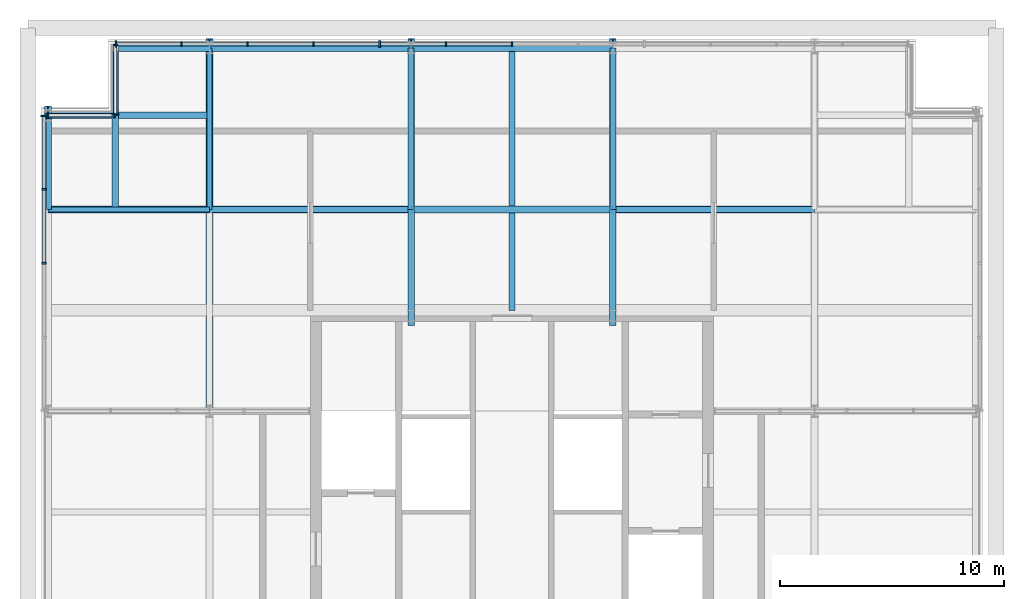
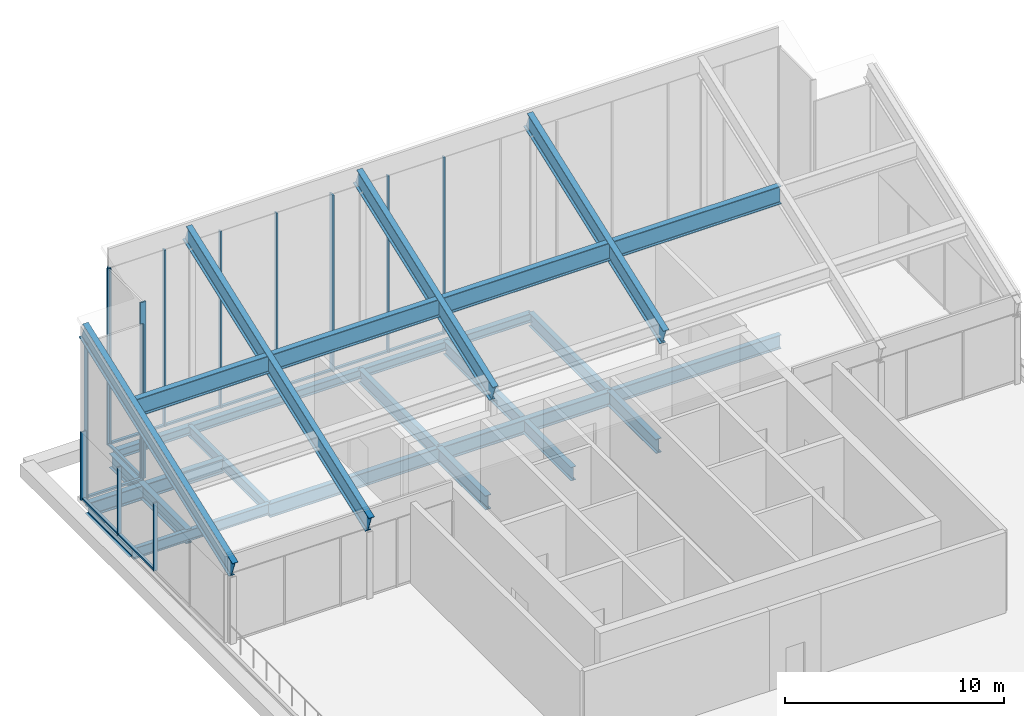
# One storey, part 5 of 10: 32 members, 16 beams, 4 elements without a shape of their own.
"""IFC4 building model written with IfcOpenShell, lengths in metres."""

from ifc_helpers import new_model, si_unit, direction, frame, origin, origin_2d, place, context, subcontext, project, spatial, rectangle, i_section, extrude, material, layer, layer_set, material_profile, profile_set, type_object, element, aggregate, save


model = new_model("IFC4")

# Units and contexts
model_context = context("Model", 3, precision=1e-05, world=origin(), true_north=direction((0.0, 1.0)))
body_context = subcontext(model_context, "Body", "Model", "MODEL_VIEW")
ifc_project = project(units=[si_unit("LENGTHUNIT", "METRE"), si_unit("AREAUNIT", "SQUARE_METRE"), si_unit("VOLUMEUNIT", "CUBIC_METRE"), si_unit("PLANEANGLEUNIT", "RADIAN"), si_unit("MASSUNIT", "GRAM", prefix="KILO")], contexts=[model_context])

# Site, building, storey
site_placement = place(None, origin())
site = spatial("IfcSite", under=ifc_project, at=site_placement, CompositionType="ELEMENT")
building_placement = place(site_placement, origin())
building = spatial("IfcBuilding", under=site, at=building_placement, Name="Malebo Sky Hospital", CompositionType="ELEMENT")
storey_placement = place(building_placement, frame((0.0, 0.0, 290.0)))
storey = spatial("IfcBuildingStorey", under=building, at=storey_placement, Name="RF", CompositionType="ELEMENT", Elevation=290.0)

# Curtain wall, members
ifc_material_1 = material(Name="Anodised aluminium, natural silver", Category="aluminium")
ifc_layer = layer(ifc_material_1, 0.25)
ifc_layer_set = layer_set([ifc_layer], Name="PENTHOUSE LOUVRE SCREEN")
curtain_wall_type = type_object("IfcCurtainWallType", Name="PENTHOUSE LOUVRE SCREEN", PredefinedType="NOTDEFINED", material=ifc_layer_set)
curtain_wall_1_placement = place(storey_placement, origin())
curtain_wall_1 = element("IfcCurtainWall", 1, at=curtain_wall_1_placement, inside=storey, type_object=curtain_wall_type, Name="ROOF curtain wall N", PredefinedType="NOTDEFINED")
ifc_material_profile_1 = material_profile(ifc_material_1, rectangle(XDim=0.14990234375, YDim=0.10009765625, at=origin_2d()), Name="ALUMINIUM TRANSOM 150x100")
ifc_profile_set_1 = profile_set([ifc_material_profile_1], Name="Anodised aluminium, natural silver")
member_type_1 = type_object("IfcMemberType", Name="ALUMINIUM TRANSOM 150x100", PredefinedType="USERDEFINED", material=ifc_profile_set_1)
member_1_placement = place(storey_placement, frame((59.96240234375, 82.875, 0.050048828125), z_axis=(-1.0, 0.0, 0.0), x_axis=(0.0, -1.0, 0.0)))
member_1 = element("IfcMember", 2, at=member_1_placement, type_object=member_type_1, Name="Transom 7", ObjectType="TRANSOM", PredefinedType="USERDEFINED", context=body_context, shape_type="SweptSolid", body=[
    extrude(rectangle(XDim=0.14990234375, YDim=0.10009765625, at=origin_2d()), origin(), (0.0, 0.0, 1.0), 2.875),
])
member_2_placement = place(storey_placement, frame((57.012451171875, 82.875, 0.050048828125), z_axis=(-1.0, 0.0, 0.0), x_axis=(0.0, -1.0, 0.0)))
member_2 = element("IfcMember", 3, at=member_2_placement, type_object=member_type_1, Name="Transom 8", ObjectType="TRANSOM", PredefinedType="USERDEFINED", context=body_context, shape_type="SweptSolid", body=[
    extrude(rectangle(XDim=0.14990234375, YDim=0.10009765625, at=origin_2d()), origin(), (0.0, 0.0, 1.0), 2.875),
])
member_3_placement = place(storey_placement, frame((54.0625, 82.875, 0.050048828125), z_axis=(-1.0, 0.0, 0.0), x_axis=(0.0, -1.0, 0.0)))
member_3 = element("IfcMember", 4, at=member_3_placement, type_object=member_type_1, Name="Transom 9", ObjectType="TRANSOM", PredefinedType="USERDEFINED", context=body_context, shape_type="SweptSolid", body=[
    extrude(rectangle(XDim=0.14990234375, YDim=0.10009765625, at=origin_2d()), origin(), (0.0, 0.0, 1.0), 2.875),
])
member_4_placement = place(storey_placement, frame((51.112548828125, 82.875, 0.050048828125), z_axis=(-1.0, 0.0, 0.0), x_axis=(0.0, -1.0, 0.0)))
member_4 = element("IfcMember", 5, at=member_4_placement, type_object=member_type_1, Name="Transom 10", ObjectType="TRANSOM", PredefinedType="USERDEFINED", context=body_context, shape_type="SweptSolid", body=[
    extrude(rectangle(XDim=0.14990234375, YDim=0.10009765625, at=origin_2d()), origin(), (0.0, 0.0, 1.0), 2.875),
])
member_5_placement = place(storey_placement, frame((48.16259765625, 82.875, 0.050048828125), z_axis=(-1.0, 0.0, 0.0), x_axis=(0.0, -1.0, 0.0)))
member_5 = element("IfcMember", 6, at=member_5_placement, type_object=member_type_1, Name="Transom 11", ObjectType="TRANSOM", PredefinedType="USERDEFINED", context=body_context, shape_type="SweptSolid", body=[
    extrude(rectangle(XDim=0.14990234375, YDim=0.10009765625, at=origin_2d()), origin(), (0.0, 0.0, 1.0), 2.875),
])
member_6_placement = place(storey_placement, frame((45.21240234375, 82.875, 0.050048828125), z_axis=(-1.0, 0.0, 0.0), x_axis=(0.0, -1.0, 0.0)))
member_6 = element("IfcMember", 7, at=member_6_placement, type_object=member_type_1, Name="Transom 12", ObjectType="TRANSOM", PredefinedType="USERDEFINED", context=body_context, shape_type="SweptSolid", body=[
    extrude(rectangle(XDim=0.14990234375, YDim=0.10009765625, at=origin_2d()), origin(), (0.0, 0.0, 1.0), 2.83740234375),
])

curtain_wall_2_placement = place(storey_placement, origin())
curtain_wall_2 = element("IfcCurtainWall", 8, at=curtain_wall_2_placement, inside=storey, type_object=curtain_wall_type, Name="ROOF curtain wall W", PredefinedType="NOTDEFINED")
member_7_placement = place(storey_placement, frame((39.125, 79.625, 0.050048828125), z_axis=(0.0, -1.0, 0.0), x_axis=(1.0, 0.0, 0.0)))
member_7 = element("IfcMember", 9, at=member_7_placement, type_object=member_type_1, Name="Transom 1", ObjectType="TRANSOM", PredefinedType="USERDEFINED", context=body_context, shape_type="SweptSolid", body=[
    extrude(rectangle(XDim=0.14990234375, YDim=0.10009765625, at=origin_2d()), origin(), (0.0, 0.0, 1.0), 3.1875),
])
member_8_placement = place(storey_placement, frame((39.125, 76.362548828125, 0.050048828125), z_axis=(0.0, -1.0, 0.0), x_axis=(1.0, 0.0, 0.0)))
member_8 = element("IfcMember", 10, at=member_8_placement, type_object=member_type_1, Name="Transom 2", ObjectType="TRANSOM", PredefinedType="USERDEFINED", context=body_context, shape_type="SweptSolid", body=[
    extrude(rectangle(XDim=0.14990234375, YDim=0.10009765625, at=origin_2d()), origin(), (0.0, 0.0, 1.0), 3.22509765625),
])

# Curtain wall, member
curtain_wall_3_placement = place(storey_placement, origin())
curtain_wall_3 = element("IfcCurtainWall", 11, at=curtain_wall_3_placement, inside=storey, type_object=curtain_wall_type, Name="ROOF curtain wall NW1", PredefinedType="NOTDEFINED")
member_9_placement = place(storey_placement, frame((39.3369140625, 79.699951171875, 0.050048828125), z_axis=(1.0, 0.0, 0.0), x_axis=(0.0, 1.0, 0.0)))
member_9 = element("IfcMember", 12, at=member_9_placement, type_object=member_type_1, Name="Transom 1", ObjectType="TRANSOM", PredefinedType="USERDEFINED", context=body_context, shape_type="SweptSolid", body=[
    extrude(rectangle(XDim=0.14990234375, YDim=0.10009765625, at=origin_2d()), origin(), (0.0, 0.0, 1.0), 2.88818359375),
])

curtain_wall_4_placement = place(storey_placement, origin())
curtain_wall_4 = element("IfcCurtainWall", 13, at=curtain_wall_4_placement, inside=storey, type_object=curtain_wall_type, Name="ROOF curtain wall NW2", PredefinedType="NOTDEFINED")
member_10_placement = place(storey_placement, frame((42.300048828125, 79.77490234375, 0.050048828125), z_axis=(0.0, 1.0, 0.0), x_axis=(-1.0, 0.0, 0.0)))
member_10 = element("IfcMember", 14, at=member_10_placement, type_object=member_type_1, Name="Transom 1", ObjectType="TRANSOM", PredefinedType="USERDEFINED", context=body_context, shape_type="SweptSolid", body=[
    extrude(rectangle(XDim=0.14990234375, YDim=0.10009765625, at=origin_2d()), origin(), (0.0, 0.0, 1.0), 3.025146484375),
])

# Members
ifc_material_2 = material(Name="Steel S355", Category="steel")
ifc_material_profile_2 = material_profile(ifc_material_2, i_section(OverallWidth=0.300048828125, OverallDepth=1.0, WebThickness=0.01904296875, FlangeThickness=0.035888671875, FilletRadius=0.030029296875, at=origin_2d()), Name="HEB 1000")
ifc_profile_set_2 = profile_set([ifc_material_profile_2], Name="Steel S355")
member_type_2 = type_object("IfcMemberType", Name="CROWN PURLIN HEB 1000", PredefinedType="PURLIN", material=ifc_profile_set_2)
member_11_placement = place(storey_placement, frame((39.300048828125, 75.5, 7.564453125), z_axis=(1.0, 0.0, 0.0), x_axis=(0.0, 1.0, 0.0)))
element("IfcMember", 15, at=member_11_placement, inside=storey, type_object=member_type_2, Name="Crown purlin +13.5", PredefinedType="PURLIN", context=body_context, shape_type="SweptSolid", body=[
    extrude(i_section(OverallWidth=0.300048828125, OverallDepth=1.0, WebThickness=0.01904296875, FlangeThickness=0.035888671875, FilletRadius=0.030029296875, at=origin_2d()), origin(), (0.0, 0.0, 1.0), 7.199951171875),
])
for number, where, z_axis, x_axis, name in (
    (16, (46.5, 75.5, 7.564453125), (1.0, 0.0, 0.0), (0.0, 1.0, 0.0), "Crown purlin +13.5"),
    (17, (55.5, 75.5, 7.564453125), (1.0, 0.0, 0.0), (0.0, 1.0, 0.0), "Crown purlin +13.5"),
    (18, (64.5, 75.5, 7.564453125), (1.0, 0.0, 0.0), (0.0, 1.0, 0.0), "Crown purlin +13.5"),
):
    element("IfcMember", number, at=place(storey_placement, frame(where, z_axis=z_axis, x_axis=x_axis)), inside=storey, type_object=member_type_2, Name=name, PredefinedType="PURLIN", context=body_context, shape_type="SweptSolid", body=[
        extrude(i_section(OverallWidth=0.300048828125, OverallDepth=1.0, WebThickness=0.01904296875, FlangeThickness=0.035888671875, FilletRadius=0.030029296875, at=origin_2d()), origin(), (0.0, 0.0, 1.0), 9.0),
    ])
ifc_material_profile_3 = material_profile(ifc_material_2, i_section(OverallWidth=0.300048828125, OverallDepth=1.0, WebThickness=0.01904296875, FlangeThickness=0.035888671875, FilletRadius=0.030029296875, at=origin_2d()), Name="HEB 1000")
ifc_profile_set_3 = profile_set([ifc_material_profile_3], Name="Steel S355")
member_type_3 = type_object("IfcMemberType", Name="CROWN RAFTER HEB 1000", PredefinedType="RAFTER", material=ifc_profile_set_3)
member_12_placement = place(storey_placement, frame((39.300048828125, 66.25, 4.160888671875), z_axis=(0.0, 0.9377451322, 0.34732415268), x_axis=(-1.0, 0.0, 0.0)))
element("IfcMember", 19, at=member_12_placement, inside=storey, type_object=member_type_3, Name="Crown rafter -20.7", PredefinedType="RAFTER", context=body_context, shape_type="SweptSolid", body=[
    extrude(i_section(OverallWidth=0.300048828125, OverallDepth=1.0, WebThickness=0.01904296875, FlangeThickness=0.035888671875, FilletRadius=0.030029296875, at=origin_2d()), origin(), (0.0, 0.0, 1.0), 14.609375),
])
member_13_placement = place(storey_placement, frame((46.5, 66.25, 4.160888671875), z_axis=(0.0, 0.937746280156, 0.347321053283), x_axis=(-1.0, 0.0, 0.0)))
element("IfcMember", 20, at=member_13_placement, inside=storey, type_object=member_type_3, Name="Crown rafter -13.5", PredefinedType="RAFTER", context=body_context, shape_type="SweptSolid", body=[
    extrude(i_section(OverallWidth=0.300048828125, OverallDepth=1.0, WebThickness=0.01904296875, FlangeThickness=0.035888671875, FilletRadius=0.030029296875, at=origin_2d()), origin(), (0.0, 0.0, 1.0), 17.80859375),
])
for number, where, z_axis, x_axis, name in (
    (21, (55.5, 70.5, 5.735107421875), (0.0, 0.937748982545, 0.347313756904), (-1.0, 0.0, 0.0), "Crown rafter -4.5"),
    (22, (64.5, 70.5, 5.735107421875), (0.0, 0.937748982545, 0.347313756904), (-1.0, 0.0, 0.0), "Crown rafter +4.5"),
):
    element("IfcMember", number, at=place(storey_placement, frame(where, z_axis=z_axis, x_axis=x_axis)), inside=storey, type_object=member_type_3, Name=name, PredefinedType="RAFTER", context=body_context, shape_type="SweptSolid", body=[
        extrude(i_section(OverallWidth=0.300048828125, OverallDepth=1.0, WebThickness=0.01904296875, FlangeThickness=0.035888671875, FilletRadius=0.030029296875, at=origin_2d()), origin(), (0.0, 0.0, 1.0), 13.2763671875),
    ])

# Member
ifc_material_profile_4 = material_profile(ifc_material_1, rectangle(XDim=0.074951171875, YDim=0.199951171875, at=origin_2d()), Name="CW6 ALUMINIUM FIN MULLION 75x200")
ifc_profile_set_4 = profile_set([ifc_material_profile_4], Name="Anodised aluminium, natural silver")
member_type_4 = type_object("IfcMemberType", Name="CW6 ALUMINIUM FIN MULLION 75x200", PredefinedType="MULLION", material=ifc_profile_set_4)
member_14_placement = place(storey_placement, frame((60.0, 82.875, 0.0), z_axis=(0.0, 0.0, 1.0), x_axis=(-1.0, 0.0, 0.0)))
member_14 = element("IfcMember", 23, at=member_14_placement, type_object=member_type_4, Name="Fin mullion 7", PredefinedType="MULLION", context=body_context, shape_type="SweptSolid", body=[
    extrude(rectangle(XDim=0.074951171875, YDim=0.199951171875, at=origin_2d()), origin(), (0.0, 0.0, 1.0), 9.86474609375),
])

member_15_placement = place(storey_placement, frame((57.050048828125, 82.875, 0.0), z_axis=(0.0, 0.0, 1.0), x_axis=(-1.0, 0.0, 0.0)))
member_15 = element("IfcMember", 24, at=member_15_placement, type_object=member_type_4, Name="Fin mullion 8", PredefinedType="MULLION", context=body_context, shape_type="SweptSolid", body=[
    extrude(rectangle(XDim=0.074951171875, YDim=0.199951171875, at=origin_2d()), origin(), (0.0, 0.0, 1.0), 9.86474609375),
])

member_16_placement = place(storey_placement, frame((51.14990234375, 82.875, 0.0), z_axis=(0.0, 0.0, 1.0), x_axis=(-1.0, 0.0, 0.0)))
member_16 = element("IfcMember", 25, at=member_16_placement, type_object=member_type_4, Name="Fin mullion 10", PredefinedType="MULLION", context=body_context, shape_type="SweptSolid", body=[
    extrude(rectangle(XDim=0.074951171875, YDim=0.199951171875, at=origin_2d()), origin(), (0.0, 0.0, 1.0), 9.86474609375),
])

member_17_placement = place(storey_placement, frame((48.199951171875, 82.875, 0.0), z_axis=(0.0, 0.0, 1.0), x_axis=(-1.0, 0.0, 0.0)))
member_17 = element("IfcMember", 26, at=member_17_placement, type_object=member_type_4, Name="Fin mullion 11", PredefinedType="MULLION", context=body_context, shape_type="SweptSolid", body=[
    extrude(rectangle(XDim=0.074951171875, YDim=0.199951171875, at=origin_2d()), origin(), (0.0, 0.0, 1.0), 9.86474609375),
])

member_18_placement = place(storey_placement, frame((45.25, 82.875, 0.0), z_axis=(0.0, 0.0, 1.0), x_axis=(-1.0, 0.0, 0.0)))
member_18 = element("IfcMember", 27, at=member_18_placement, type_object=member_type_4, Name="Fin mullion 12", PredefinedType="MULLION", context=body_context, shape_type="SweptSolid", body=[
    extrude(rectangle(XDim=0.074951171875, YDim=0.199951171875, at=origin_2d()), origin(), (0.0, 0.0, 1.0), 9.86474609375),
])

member_19_placement = place(storey_placement, frame((39.125, 76.39990234375, 0.0), z_axis=(0.0, 0.0, 1.0), x_axis=(0.0, -1.0, 0.0)))
member_19 = element("IfcMember", 28, at=member_19_placement, type_object=member_type_4, Name="Fin mullion 2", PredefinedType="MULLION", context=body_context, shape_type="SweptSolid", body=[
    extrude(rectangle(XDim=0.074951171875, YDim=0.199951171875, at=origin_2d()), origin(), (0.0, 0.0, 1.0), 3.800048828125),
])

member_20_placement = place(storey_placement, frame((39.125, 73.10009765625, 0.0), z_axis=(0.0, 0.0, 1.0), x_axis=(0.0, -1.0, 0.0)))
member_20 = element("IfcMember", 29, at=member_20_placement, type_object=member_type_4, Name="Fin mullion 3", PredefinedType="MULLION", context=body_context, shape_type="SweptSolid", body=[
    extrude(rectangle(XDim=0.074951171875, YDim=0.199951171875, at=origin_2d()), origin(), (0.0, 0.0, 1.0), 3.800048828125),
])

member_21_placement = place(storey_placement, frame((42.262451171875, 79.699951171875, 0.0), z_axis=(0.0, 0.0, 1.0), x_axis=(1.0, 0.0, 0.0)))
member_21 = element("IfcMember", 30, at=member_21_placement, type_object=member_type_4, Name="Fin mullion 2", PredefinedType="MULLION", context=body_context, shape_type="SweptSolid", body=[
    extrude(rectangle(XDim=0.074951171875, YDim=0.199951171875, at=origin_2d()), origin(), (0.0, 0.0, 1.0), 8.68896484375),
])

member_22_placement = place(storey_placement, frame((42.300048828125, 82.83740234375, 0.0), z_axis=(0.0, 0.0, 1.0), x_axis=(0.0, 1.0, 0.0)))
member_22 = element("IfcMember", 31, at=member_22_placement, type_object=member_type_4, Name="Fin mullion 2", PredefinedType="MULLION", context=body_context, shape_type="SweptSolid", body=[
    extrude(rectangle(XDim=0.074951171875, YDim=0.199951171875, at=origin_2d()), origin(), (0.0, 0.0, 1.0), 9.86474609375),
])

ifc_material_profile_5 = material_profile(ifc_material_1, rectangle(XDim=0.074951171875, YDim=0.300048828125, at=origin_2d()), Name="CW6 ALUMINIUM FIN MULLION 75x300")
ifc_profile_set_5 = profile_set([ifc_material_profile_5], Name="Anodised aluminium, natural silver")
member_type_5 = type_object("IfcMemberType", Name="CW6 ALUMINIUM FIN MULLION 75x300", PredefinedType="MULLION", material=ifc_profile_set_5)
member_23_placement = place(storey_placement, frame((54.10009765625, 82.875, 0.0), z_axis=(0.0, 0.0, 1.0), x_axis=(-1.0, 0.0, 0.0)))
member_23 = element("IfcMember", 32, at=member_23_placement, type_object=member_type_5, Name="Fin mullion 9", PredefinedType="MULLION", context=body_context, shape_type="SweptSolid", body=[
    extrude(rectangle(XDim=0.074951171875, YDim=0.300048828125, at=origin_2d()), origin(), (0.0, 0.0, 1.0), 9.86474609375),
])

member_24_placement = place(storey_placement, frame((42.33740234375, 82.875, 0.0), z_axis=(0.0, 0.0, 1.0), x_axis=(-1.0, 0.0, 0.0)))
member_24 = element("IfcMember", 33, at=member_24_placement, type_object=member_type_5, Name="Fin mullion 13", PredefinedType="MULLION", context=body_context, shape_type="SweptSolid", body=[
    extrude(rectangle(XDim=0.074951171875, YDim=0.300048828125, at=origin_2d()), origin(), (0.0, 0.0, 1.0), 9.86474609375),
])

aggregate(curtain_wall_1, [member_14, member_15, member_23, member_16, member_17, member_18, member_24, member_1, member_2, member_3, member_4, member_5, member_6])

member_25_placement = place(storey_placement, frame((39.125, 79.66259765625, 0.0), z_axis=(0.0, 0.0, 1.0), x_axis=(0.0, -1.0, 0.0)))
member_25 = element("IfcMember", 34, at=member_25_placement, type_object=member_type_5, Name="Fin mullion 1", PredefinedType="MULLION", context=body_context, shape_type="SweptSolid", body=[
    extrude(rectangle(XDim=0.074951171875, YDim=0.300048828125, at=origin_2d()), origin(), (0.0, 0.0, 1.0), 3.800048828125),
])

aggregate(curtain_wall_2, [member_25, member_19, member_20, member_7, member_8])

member_26_placement = place(storey_placement, frame((39.299560546875, 79.699951171875, 0.0), z_axis=(0.0, 0.0, 1.0), x_axis=(1.0, 0.0, 0.0)))
member_26 = element("IfcMember", 35, at=member_26_placement, type_object=member_type_5, Name="Fin mullion 1", PredefinedType="MULLION", context=body_context, shape_type="SweptSolid", body=[
    extrude(rectangle(XDim=0.074951171875, YDim=0.300048828125, at=origin_2d()), origin(), (0.0, 0.0, 1.0), 8.68896484375),
])

aggregate(curtain_wall_3, [member_26, member_21, member_9])

member_27_placement = place(storey_placement, frame((42.300048828125, 79.737548828125, 0.0), z_axis=(0.0, 0.0, 1.0), x_axis=(0.0, 1.0, 0.0)))
member_27 = element("IfcMember", 36, at=member_27_placement, type_object=member_type_5, Name="Fin mullion 1", PredefinedType="MULLION", context=body_context, shape_type="SweptSolid", body=[
    extrude(rectangle(XDim=0.074951171875, YDim=0.300048828125, at=origin_2d()), origin(), (0.0, 0.0, 1.0), 9.86474609375),
])

aggregate(curtain_wall_4, [member_27, member_22, member_10])

# Beams
ifc_material_profile_6 = material_profile(ifc_material_2, i_section(OverallWidth=0.300048828125, OverallDepth=0.489990234375, WebThickness=0.011962890625, FlangeThickness=0.02294921875, FilletRadius=0.027099609375, at=origin_2d()), Name="HEA 500")
ifc_profile_set_6 = profile_set([ifc_material_profile_6], Name="Steel S355")
beam_type_1 = type_object("IfcBeamType", Name="EDGE BEAM HEA 500", PredefinedType="BEAM", material=ifc_profile_set_6)
for number, where, z_axis, x_axis, name in (
    (37, (39.300048828125, 75.5, -0.4951171875), (0.0, 1.0, 0.0), (-1.0, 0.0, 0.0), "Beam 004 RF"),
    (38, (42.449951171875, 82.699951171875, -0.4951171875), (1.0, 0.0, 0.0), (0.0, 1.0, 0.0), "Beam 063 RF"),
):
    element("IfcBeam", number, at=place(storey_placement, frame(where, z_axis=z_axis, x_axis=x_axis)), inside=storey, type_object=beam_type_1, Name=name, PredefinedType="BEAM", context=body_context, shape_type="SweptSolid", body=[
        extrude(i_section(OverallWidth=0.300048828125, OverallDepth=0.489990234375, WebThickness=0.011962890625, FlangeThickness=0.02294921875, FilletRadius=0.027099609375, at=origin_2d()), origin(), (0.0, 0.0, 1.0), 4.050048828125),
    ])
for number, where, z_axis, x_axis, name in (
    (39, (46.5, 82.699951171875, -0.4951171875), (1.0, 0.0, 0.0), (0.0, 1.0, 0.0), "Beam 064 RF"),
    (40, (55.5, 82.699951171875, -0.4951171875), (1.0, 0.0, 0.0), (0.0, 1.0, 0.0), "Beam 065 RF"),
):
    element("IfcBeam", number, at=place(storey_placement, frame(where, z_axis=z_axis, x_axis=x_axis)), inside=storey, type_object=beam_type_1, Name=name, PredefinedType="BEAM", context=body_context, shape_type="SweptSolid", body=[
        extrude(i_section(OverallWidth=0.300048828125, OverallDepth=0.489990234375, WebThickness=0.011962890625, FlangeThickness=0.02294921875, FilletRadius=0.027099609375, at=origin_2d()), origin(), (0.0, 0.0, 1.0), 9.0),
    ])
ifc_material_profile_7 = material_profile(ifc_material_2, i_section(OverallWidth=0.300048828125, OverallDepth=0.800048828125, WebThickness=0.017578125, FlangeThickness=0.032958984375, FilletRadius=0.030029296875, at=origin_2d()), Name="HEB 800")
ifc_profile_set_7 = profile_set([ifc_material_profile_7], Name="Steel S355")
beam_type_2 = type_object("IfcBeamType", Name="FLOOR BEAM HEB 800", PredefinedType="BEAM", material=ifc_profile_set_7)
beam_1_placement = place(storey_placement, frame((42.300048828125, 75.5, -0.64990234375), z_axis=(0.0, 1.0, 0.0), x_axis=(-1.0, 0.0, 0.0)))
element("IfcBeam", 41, at=beam_1_placement, inside=storey, type_object=beam_type_2, Name="Beam 006 RF", PredefinedType="BEAM", context=body_context, shape_type="SweptSolid", body=[
    extrude(i_section(OverallWidth=0.300048828125, OverallDepth=0.800048828125, WebThickness=0.017578125, FlangeThickness=0.032958984375, FilletRadius=0.030029296875, at=origin_2d()), origin(), (0.0, 0.0, 1.0), 7.050048828125),
])
for number, where, z_axis, x_axis, name in (
    (42, (55.5, 71.0, -0.64990234375), (0.0, 1.0, 0.0), (-1.0, 0.0, 0.0), "Beam 014 RF"),
    (43, (64.5, 71.0, -0.64990234375), (0.0, 1.0, 0.0), (-1.0, 0.0, 0.0), "Beam 020 RF"),
):
    element("IfcBeam", number, at=place(storey_placement, frame(where, z_axis=z_axis, x_axis=x_axis)), inside=storey, type_object=beam_type_2, Name=name, PredefinedType="BEAM", context=body_context, shape_type="SweptSolid", body=[
        extrude(i_section(OverallWidth=0.300048828125, OverallDepth=0.800048828125, WebThickness=0.017578125, FlangeThickness=0.032958984375, FilletRadius=0.030029296875, at=origin_2d()), origin(), (0.0, 0.0, 1.0), 4.5),
    ])
beam_2_placement = place(storey_placement, frame((39.449951171875, 79.699951171875, -0.64990234375), z_axis=(1.0, 0.0, 0.0), x_axis=(0.0, 1.0, 0.0)))
element("IfcBeam", 44, at=beam_2_placement, inside=storey, type_object=beam_type_2, Name="Beam 061 RF", PredefinedType="BEAM", context=body_context, shape_type="SweptSolid", body=[
    extrude(i_section(OverallWidth=0.300048828125, OverallDepth=0.800048828125, WebThickness=0.017578125, FlangeThickness=0.032958984375, FilletRadius=0.030029296875, at=origin_2d()), origin(), (0.0, 0.0, 1.0), 7.050048828125),
])
ifc_material_profile_8 = material_profile(ifc_material_2, i_section(OverallWidth=0.262939453125, OverallDepth=0.7529296875, WebThickness=0.011474609375, FlangeThickness=0.01708984375, FilletRadius=0.01708984375, at=origin_2d()), Name="IPE 750x137")
ifc_profile_set_8 = profile_set([ifc_material_profile_8], Name="Steel S355")
beam_type_3 = type_object("IfcBeamType", Name="FLOOR BEAM IPE 750x137", PredefinedType="BEAM", material=ifc_profile_set_8)
beam_3_placement = place(storey_placement, frame((55.5, 75.5, -0.62646484375), z_axis=(0.0, 1.0, 0.0), x_axis=(-1.0, 0.0, 0.0)))
element("IfcBeam", 45, at=beam_3_placement, inside=storey, type_object=beam_type_3, Name="Beam 015 RF", PredefinedType="BEAM", context=body_context, shape_type="SweptSolid", body=[
    extrude(i_section(OverallWidth=0.262939453125, OverallDepth=0.7529296875, WebThickness=0.011474609375, FlangeThickness=0.01708984375, FilletRadius=0.01708984375, at=origin_2d()), origin(), (0.0, 0.0, 1.0), 7.199951171875),
])
beam_4_placement = place(storey_placement, frame((60.0, 71.0, -0.62646484375), z_axis=(0.0, 1.0, 0.0), x_axis=(-1.0, 0.0, 0.0)))
element("IfcBeam", 46, at=beam_4_placement, inside=storey, type_object=beam_type_3, Name="Beam 017 RF", PredefinedType="BEAM", context=body_context, shape_type="SweptSolid", body=[
    extrude(i_section(OverallWidth=0.262939453125, OverallDepth=0.7529296875, WebThickness=0.011474609375, FlangeThickness=0.01708984375, FilletRadius=0.01708984375, at=origin_2d()), origin(), (0.0, 0.0, 1.0), 11.699951171875),
])
beam_5_placement = place(storey_placement, frame((64.5, 75.5, -0.62646484375), z_axis=(0.0, 1.0, 0.0), x_axis=(-1.0, 0.0, 0.0)))
element("IfcBeam", 47, at=beam_5_placement, inside=storey, type_object=beam_type_3, Name="Beam 021 RF", PredefinedType="BEAM", context=body_context, shape_type="SweptSolid", body=[
    extrude(i_section(OverallWidth=0.262939453125, OverallDepth=0.7529296875, WebThickness=0.011474609375, FlangeThickness=0.01708984375, FilletRadius=0.01708984375, at=origin_2d()), origin(), (0.0, 0.0, 1.0), 7.199951171875),
])
ifc_material_profile_9 = material_profile(ifc_material_2, i_section(OverallWidth=0.26806640625, OverallDepth=0.77001953125, WebThickness=0.015625, FlangeThickness=0.025390625, FilletRadius=0.01708984375, at=origin_2d()), Name="IPE 750x196")
ifc_profile_set_9 = profile_set([ifc_material_profile_9], Name="Steel S355")
beam_type_4 = type_object("IfcBeamType", Name="FLOOR BEAM IPE 750x196", PredefinedType="BEAM", material=ifc_profile_set_9)
for number, where, z_axis, x_axis, name in (
    (48, (46.5, 75.5, -0.635009765625), (1.0, 0.0, 0.0), (0.0, 1.0, 0.0), "Beam 057 RF"),
    (49, (64.5, 75.5, -0.635009765625), (1.0, 0.0, 0.0), (0.0, 1.0, 0.0), "Beam 059 RF"),
):
    element("IfcBeam", number, at=place(storey_placement, frame(where, z_axis=z_axis, x_axis=x_axis)), inside=storey, type_object=beam_type_4, Name=name, PredefinedType="BEAM", context=body_context, shape_type="SweptSolid", body=[
        extrude(i_section(OverallWidth=0.26806640625, OverallDepth=0.77001953125, WebThickness=0.015625, FlangeThickness=0.025390625, FilletRadius=0.01708984375, at=origin_2d()), origin(), (0.0, 0.0, 1.0), 9.0),
    ])
ifc_material_profile_10 = material_profile(ifc_material_2, i_section(OverallWidth=0.219970703125, OverallDepth=0.60009765625, WebThickness=0.011962890625, FlangeThickness=0.01904296875, FilletRadius=0.02392578125, at=origin_2d()), Name="IPE 600")
ifc_profile_set_10 = profile_set([ifc_material_profile_10], Name="Steel S355")
beam_type_5 = type_object("IfcBeamType", Name="FLOOR GIRDER IPE 600", PredefinedType="BEAM", material=ifc_profile_set_10)
for number, where, z_axis, x_axis, name in (
    (50, (46.5, 75.5, -0.550048828125), (0.0, 1.0, 0.0), (-1.0, 0.0, 0.0), "Beam 011 RF"),
    (51, (39.300048828125, 75.5, -0.550048828125), (1.0, 0.0, 0.0), (0.0, 1.0, 0.0), "Beam 056 RF"),
):
    element("IfcBeam", number, at=place(storey_placement, frame(where, z_axis=z_axis, x_axis=x_axis)), inside=storey, type_object=beam_type_5, Name=name, PredefinedType="BEAM", context=body_context, shape_type="SweptSolid", body=[
        extrude(i_section(OverallWidth=0.219970703125, OverallDepth=0.60009765625, WebThickness=0.011962890625, FlangeThickness=0.01904296875, FilletRadius=0.02392578125, at=origin_2d()), origin(), (0.0, 0.0, 1.0), 7.199951171875),
    ])
ifc_material_profile_11 = material_profile(ifc_material_2, i_section(OverallWidth=0.300048828125, OverallDepth=0.800048828125, WebThickness=0.017578125, FlangeThickness=0.032958984375, FilletRadius=0.030029296875, at=origin_2d()), Name="HEB 800")
ifc_profile_set_11 = profile_set([ifc_material_profile_11], Name="Steel S355")
beam_type_6 = type_object("IfcBeamType", Name="RING GIRDER HEB 800", PredefinedType="BEAM", material=ifc_profile_set_11)
beam_6_placement = place(storey_placement, frame((55.5, 75.5, -0.64990234375), z_axis=(1.0, 0.0, 0.0), x_axis=(0.0, 1.0, 0.0)))
element("IfcBeam", 52, at=beam_6_placement, inside=storey, type_object=beam_type_6, Name="Beam 058 RF", PredefinedType="BEAM", context=body_context, shape_type="SweptSolid", body=[
    extrude(i_section(OverallWidth=0.300048828125, OverallDepth=0.800048828125, WebThickness=0.017578125, FlangeThickness=0.032958984375, FilletRadius=0.030029296875, at=origin_2d()), origin(), (0.0, 0.0, 1.0), 9.0),
])

save(model, "model.ifc")
